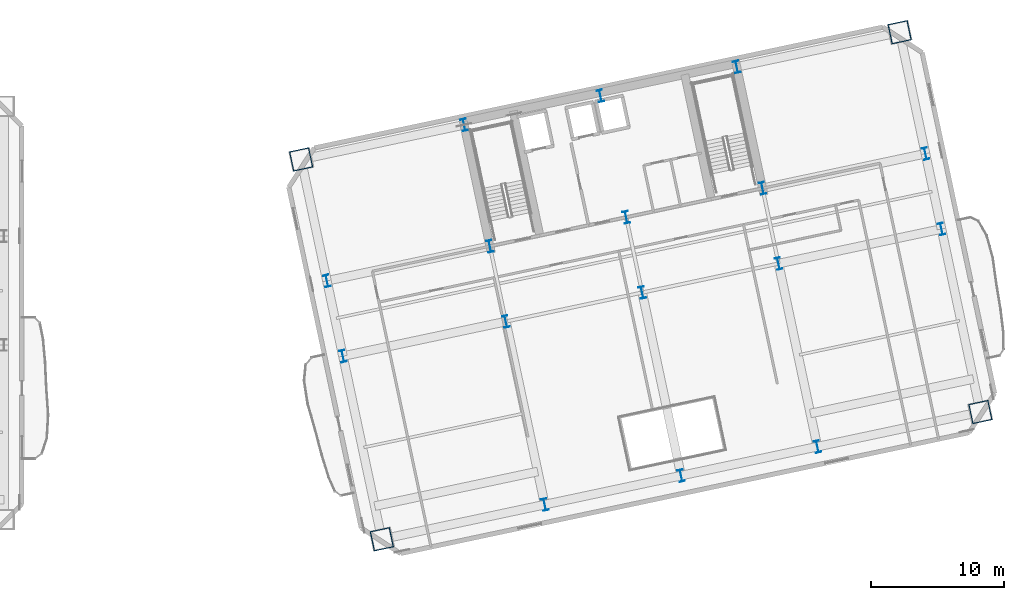
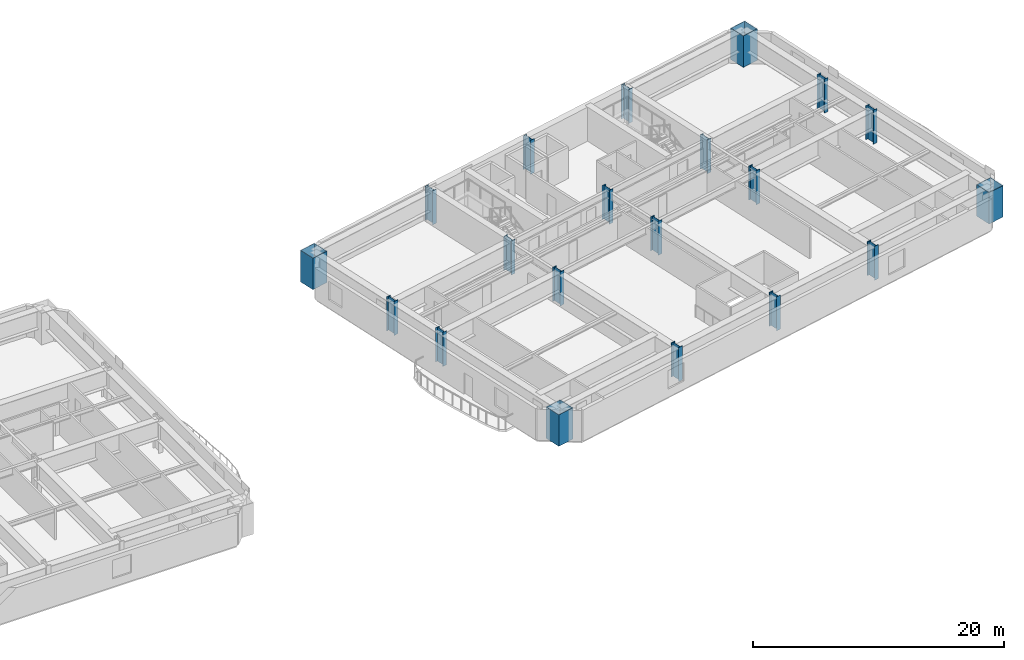
# One storey, part 2 of 18: 20 columns.
"""IFC4 building model written with IfcOpenShell, lengths in metres."""

from ifc_helpers import new_model, si_unit, direction, frame, origin, origin_2d, place, context, subcontext, project, spatial, hollow_rectangle, i_section, extrude, material, material_profile, profile_set, type_object, element, save


model = new_model("IFC4")

# Units and contexts
model_context = context("Model", 3, precision=1e-05, world=origin(), true_north=direction((0.0, 1.0)))
body_context = subcontext(model_context, "Body", "Model", "MODEL_VIEW")
ifc_project = project(units=[si_unit("LENGTHUNIT", "METRE"), si_unit("AREAUNIT", "SQUARE_METRE"), si_unit("VOLUMEUNIT", "CUBIC_METRE"), si_unit("PLANEANGLEUNIT", "RADIAN"), si_unit("MASSUNIT", "GRAM", prefix="KILO")], contexts=[model_context])

# Site, building, storey
site_placement = place(None, origin())
site = spatial("IfcSite", under=ifc_project, at=site_placement, CompositionType="ELEMENT")
building_placement = place(site_placement, origin())
building = spatial("IfcBuilding", under=site, at=building_placement, Name="Haevon Station Towers", CompositionType="ELEMENT")
storey_placement = place(building_placement, frame((0.0, 0.0, 66.89990234375)))
storey = spatial("IfcBuildingStorey", under=building, at=storey_placement, Name="L17", CompositionType="ELEMENT", Elevation=66.89990234375)

# Columns
ifc_material = material(Name="Steel S460", Category="steel")
ifc_material_profile_1 = material_profile(ifc_material, hollow_rectangle(XDim=1.5, YDim=1.5, WallThickness=0.0400390625, at=origin_2d()), Name="BOX-1500x1500x40")
ifc_profile_set_1 = profile_set([ifc_material_profile_1], Name="Steel S460")
column_type_1 = type_object("IfcColumnType", Name="COL-MC2", PredefinedType="COLUMN", material=ifc_profile_set_1)
for number, where, z_axis, x_axis, name in (
    (1, (90.614013671875, 15.367919921875, 0.0), (0.0, 0.0, 1.0), (0.978147600734, 0.207911690818, 0.0), "COL-T2-L17-01-01"),
    (2, (84.53271484375, 43.978759765625, 0.0), (0.0, 0.0, 1.0), (0.978147600734, 0.207911690818, 0.0), "COL-T2-L17-01-04"),
    (3, (135.70654296875, 24.95263671875, 0.0), (0.0, 0.0, 1.0), (0.978147600734, 0.207911690818, 0.0), "COL-T2-L17-05-01"),
    (4, (129.625244140625, 53.5634765625, 0.0), (0.0, 0.0, 1.0), (0.978147600734, 0.207911690818, 0.0), "COL-T2-L17-05-04"),
):
    element("IfcColumn", number, at=place(storey_placement, frame(where, z_axis=z_axis, x_axis=x_axis)), inside=storey, type_object=column_type_1, Name=name, PredefinedType="COLUMN", context=body_context, shape_type="SweptSolid", body=[
        extrude(hollow_rectangle(XDim=1.5, YDim=1.5, WallThickness=0.0400390625, at=origin_2d()), origin(), (0.0, 0.0, 1.0), 3.050048828125),
    ])
ifc_material_profile_2 = material_profile(ifc_material, i_section(OverallWidth=0.39990234375, OverallDepth=0.89990234375, WebThickness=0.02001953125, FlangeThickness=0.035888671875, at=origin_2d()), Name="H-900x400x20x36")
ifc_profile_set_2 = profile_set([ifc_material_profile_2], Name="Steel S460")
column_type_2 = type_object("IfcColumnType", Name="COL-TW1", PredefinedType="COLUMN", material=ifc_profile_set_2)
for number, where, z_axis, x_axis, name in (
    (5, (87.682373046875, 29.159912109375, 0.0), (0.0, 0.0, 1.0), (0.978147600734, 0.207911690818, 0.0), "COL-T2-L17-01-02"),
    (6, (86.4765625, 34.8330078125, 0.0), (0.0, 0.0, 1.0), (0.978147600734, 0.207911690818, 0.0), "COL-T2-L17-01-03"),
    (7, (102.889892578125, 17.977294921875, 0.0), (0.0, 0.0, 1.0), (0.978147600734, 0.207911690818, 0.0), "COL-T2-L17-02-01"),
    (8, (99.958251953125, 31.76904296875, 0.0), (0.0, 0.0, 1.0), (0.978147600734, 0.207911690818, 0.0), "COL-T2-L17-02-02"),
    (9, (98.75244140625, 37.4423828125, 0.0), (0.0, 0.0, 1.0), (0.978147600734, 0.207911690818, 0.0), "COL-T2-L17-02-03"),
    (10, (96.808349609375, 46.588134765625, 0.0), (0.0, 0.0, 1.0), (0.978147600734, 0.207911690818, 0.0), "COL-T2-L17-02-04"),
    (11, (113.160400390625, 20.160400390625, 0.0), (0.0, 0.0, 1.0), (0.978147600734, 0.207911690818, 0.0), "COL-T2-L17-03-01"),
    (12, (110.228759765625, 33.9521484375, 0.0), (0.0, 0.0, 1.0), (0.978147600734, 0.207911690818, 0.0), "COL-T2-L17-03-02"),
    (13, (109.02294921875, 39.62548828125, 0.0), (0.0, 0.0, 1.0), (0.978147600734, 0.207911690818, 0.0), "COL-T2-L17-03-03"),
    (14, (107.078857421875, 48.771240234375, 0.0), (0.0, 0.0, 1.0), (0.978147600734, 0.207911690818, 0.0), "COL-T2-L17-03-04"),
    (15, (123.430908203125, 22.343505859375, 0.0), (0.0, 0.0, 1.0), (0.978147600734, 0.207911690818, 0.0), "COL-T2-L17-04-01"),
    (16, (120.499267578125, 36.13525390625, 0.0), (0.0, 0.0, 1.0), (0.978147600734, 0.207911690818, 0.0), "COL-T2-L17-04-02"),
    (17, (119.29345703125, 41.80859375, 0.0), (0.0, 0.0, 1.0), (0.978147600734, 0.207911690818, 0.0), "COL-T2-L17-04-03"),
    (18, (117.349365234375, 50.954345703125, 0.0), (0.0, 0.0, 1.0), (0.978147600734, 0.207911690818, 0.0), "COL-T2-L17-04-04"),
    (19, (132.775146484375, 38.74462890625, 0.0), (0.0, 0.0, 1.0), (0.978147600734, 0.207911690818, 0.0), "COL-T2-L17-05-02"),
    (20, (131.569091796875, 44.41796875, 0.0), (0.0, 0.0, 1.0), (0.978147600734, 0.207911690818, 0.0), "COL-T2-L17-05-03"),
):
    element("IfcColumn", number, at=place(storey_placement, frame(where, z_axis=z_axis, x_axis=x_axis)), inside=storey, type_object=column_type_2, Name=name, PredefinedType="COLUMN", context=body_context, shape_type="SweptSolid", body=[
        extrude(i_section(OverallWidth=0.39990234375, OverallDepth=0.89990234375, WebThickness=0.02001953125, FlangeThickness=0.035888671875, at=origin_2d()), origin(), (0.0, 0.0, 1.0), 3.300048828125),
    ])

save(model, "model.ifc")
